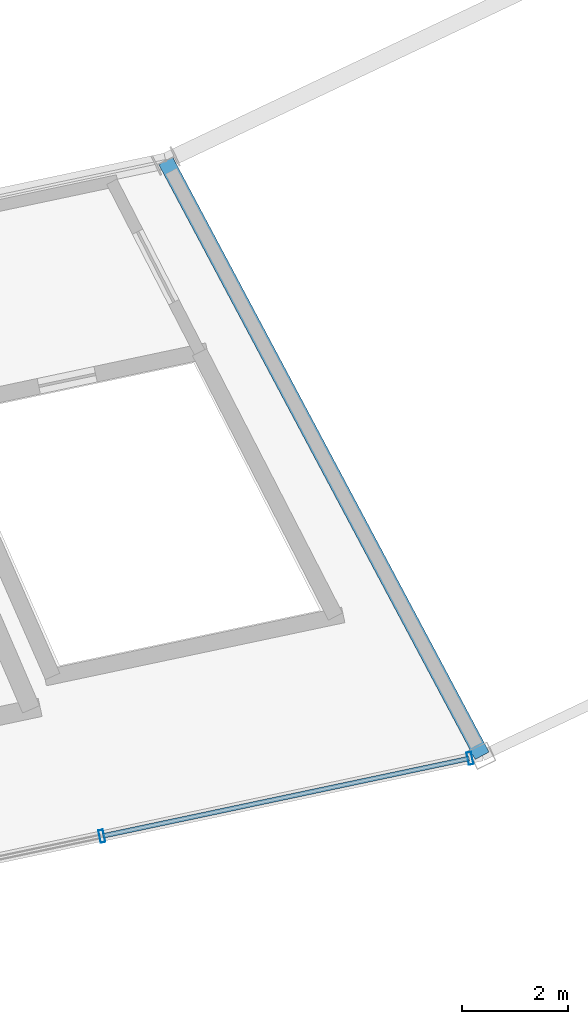
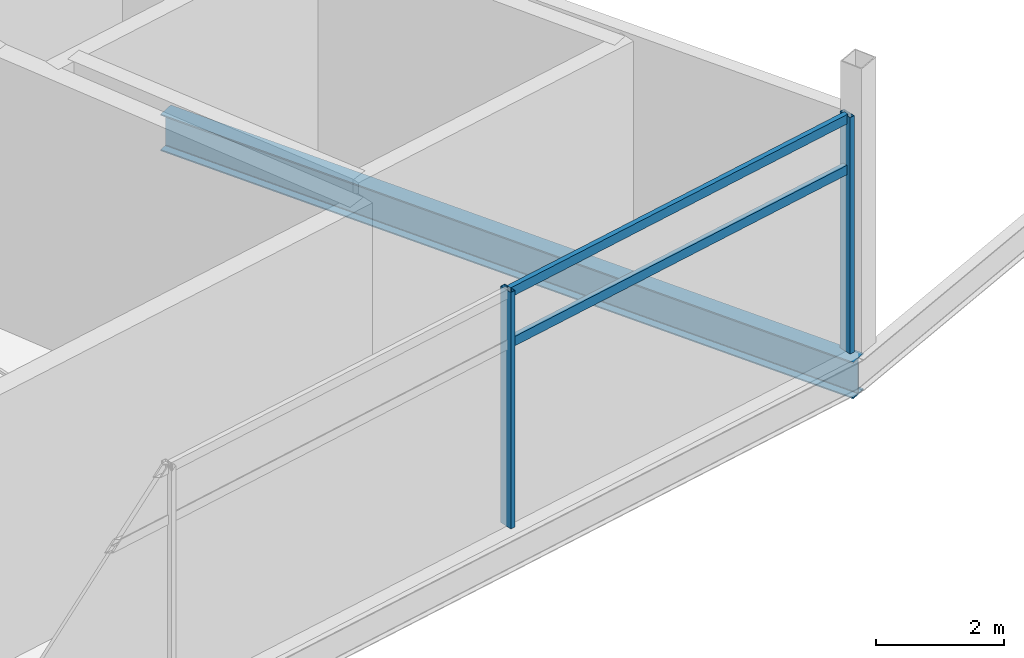
# One storey, part 46 of 86: 4 members, 1 beam, 1 element without a shape of its own.
"""IFC4 building model written with IfcOpenShell, lengths in metres."""

import ifcopenshell
import ifcopenshell.guid

model = None  # the IFC model being written
_history = None  # IfcOwnerHistory: only IFC2X3 demands one
_inside = {}  # id of a spatial element -> (the spatial element, [elements in it])
_under = {}  # id of a project, library or spatial element -> (it, [spatial elements below it])
_declared = {}  # id of a project -> (the project, [libraries it declares])
_typed = {}  # id of a type object -> (the type object, [elements of that type])
_made_of = {}  # id of a material, layer set ... -> (it, [elements and type objects made of it])


def new_model(schema):
    """Start an empty IFC model of exactly this schema.

    Asked for "IFC4X3", IfcOpenShell would pick the latest addendum, in which some entities
    have other attributes; the version numbers below select the first issue.
    IFC2X3 requires an IfcOwnerHistory on every rooted entity: one is made here for all.
    """
    global model, _history
    if schema == "IFC4X3":
        model = ifcopenshell.file(schema_version=(4, 3, 0, 0))
    else:
        model = ifcopenshell.file(schema=schema)
    _inside.clear()
    _under.clear()
    _declared.clear()
    _typed.clear()
    _made_of.clear()
    _history = None
    if model.schema == "IFC2X3":
        org = make("IfcOrganization", Name="unknown")
        user = make(
            "IfcPersonAndOrganization",
            ThePerson=make("IfcPerson", FamilyName="unknown"),
            TheOrganization=org,
        )
        app = make(
            "IfcApplication",
            ApplicationDeveloper=org,
            Version="unknown",
            ApplicationFullName="unknown",
            ApplicationIdentifier="unknown",
        )
        _history = make(
            "IfcOwnerHistory",
            OwningUser=user,
            OwningApplication=app,
            ChangeAction="ADDED",
            CreationDate=0,
        )
    return model


def make(cls, **values):
    """One entity of the class cls with the attributes given. An attribute that is None is left unset."""
    return model.create_entity(
        cls, **{name: value for name, value in values.items() if value is not None}
    )


def rooted(cls, **values):
    """An entity with a GlobalId (a new one), such as an element, a storey or a relation."""
    return make(cls, GlobalId=ifcopenshell.guid.new(), OwnerHistory=_history, **values)


def si_unit(unit_type, name, prefix=None):
    """IfcSIUnit, for example si_unit("LENGTHUNIT", "METRE", prefix="MILLI")."""
    return make("IfcSIUnit", UnitType=unit_type, Prefix=prefix, Name=name)


def assignment(units):
    """IfcUnitAssignment: the units of a project."""
    return None if units is None else make("IfcUnitAssignment", Units=units)


def point(xyz):
    """IfcCartesianPoint."""
    return None if xyz is None else make("IfcCartesianPoint", Coordinates=xyz)


def direction(xyz):
    """IfcDirection."""
    return None if xyz is None else make("IfcDirection", DirectionRatios=xyz)


def frame(location, z_axis=None, x_axis=None):
    """IfcAxis2Placement3D, a coordinate frame: its origin and axes. An axis left out is left unset."""
    return make(
        "IfcAxis2Placement3D",
        Location=point(location),
        Axis=direction(z_axis),
        RefDirection=direction(x_axis),
    )


def frame_2d(location, x_axis=None):
    """IfcAxis2Placement2D, a coordinate frame in the plane: its origin and x axis."""
    return make(
        "IfcAxis2Placement2D", Location=point(location), RefDirection=direction(x_axis)
    )


def origin():
    """The frame at (0, 0, 0) with its axes left unset."""
    return frame((0.0, 0.0, 0.0))


def origin_2d():
    """The frame at (0, 0) in the plane with its x axis left unset."""
    return frame_2d((0.0, 0.0))


def place(relative_to, where):
    """IfcLocalPlacement: puts the frame where relative to a parent placement (None: the world)."""
    return make(
        "IfcLocalPlacement", PlacementRelTo=relative_to, RelativePlacement=where
    )


def context(
    kind, dimensions, precision=None, world=None, true_north=None, identifier=None
):
    """IfcGeometricRepresentationContext, for example the 3D "Model" context."""
    return make(
        "IfcGeometricRepresentationContext",
        ContextIdentifier=identifier,
        ContextType=kind,
        CoordinateSpaceDimension=dimensions,
        Precision=precision,
        WorldCoordinateSystem=world,
        TrueNorth=true_north,
    )


def subcontext(parent, identifier, kind, view, scale=None):
    """IfcGeometricRepresentationSubContext, for example "Body" below "Model"."""
    return make(
        "IfcGeometricRepresentationSubContext",
        ContextIdentifier=identifier,
        ContextType=kind,
        ParentContext=parent,
        TargetScale=scale,
        TargetView=view,
    )


def project(units=None, contexts=None):
    """IfcProject with its units and contexts."""
    return rooted(
        "IfcProject",
        Name="project",
        RepresentationContexts=contexts,
        UnitsInContext=assignment(units),
    )


def spatial(cls, under=None, at=None, **own):
    """A site, building, storey or space (cls), placed at a placement, below another one or the project."""
    s = rooted(cls, ObjectPlacement=at, **own)
    if under is not None:
        _under.setdefault(under.id(), (under, []))[1].append(s)
    return s


def profile(cls, at=None, kind="AREA", **sizes):
    """A parametric profile (cls). Its sizes go by their IFC names, for example OverallWidth=200.0."""
    return make(cls, ProfileType=kind, Position=at, **sizes)


def hollow_rectangle(**sizes):
    """IfcRectangleHollowProfileDef."""
    return profile("IfcRectangleHollowProfileDef", **sizes)


def i_section(**sizes):
    """IfcIShapeProfileDef."""
    return profile("IfcIShapeProfileDef", **sizes)


def extrude(swept, where, along, depth):
    """IfcExtrudedAreaSolid: the profile swept, set in the frame where, extruded along a direction by depth."""
    return make(
        "IfcExtrudedAreaSolid",
        SweptArea=swept,
        Position=where,
        ExtrudedDirection=direction(along),
        Depth=depth,
    )


def shape(context_of_items, identifier, shape_type, items):
    """IfcShapeRepresentation: the items that make up one representation, for example the "Body"."""
    return make(
        "IfcShapeRepresentation",
        ContextOfItems=context_of_items,
        RepresentationIdentifier=identifier,
        RepresentationType=shape_type,
        Items=items,
    )


def material(Name=None, Category=None):
    """IfcMaterial."""
    return make("IfcMaterial", Name=Name, Category=Category)


def layer(
    of_material, thickness, ventilated=None, Name=None, Category=None, Priority=None
):
    """IfcMaterialLayer: one layer of a wall or slab, of a material (None: an air gap)."""
    return make(
        "IfcMaterialLayer",
        Material=of_material,
        LayerThickness=thickness,
        IsVentilated=ventilated,
        Name=Name,
        Category=Category,
        Priority=Priority,
    )


def layer_set(layers, Name=None):
    """IfcMaterialLayerSet."""
    return make("IfcMaterialLayerSet", MaterialLayers=layers, LayerSetName=Name)


def material_profile(
    of_material, cross_section, Name=None, Category=None, Priority=None
):
    """IfcMaterialProfile: a cross section and its material."""
    return make(
        "IfcMaterialProfile",
        Name=Name,
        Material=of_material,
        Profile=cross_section,
        Priority=Priority,
        Category=Category,
    )


def profile_set(profiles, Name=None, composite=None):
    """IfcMaterialProfileSet."""
    return make(
        "IfcMaterialProfileSet",
        Name=Name,
        MaterialProfiles=profiles,
        CompositeProfile=composite,
    )


def made_of(thing, what):
    """Note that an element or type object is made of a material, layer set ...; save() writes the relation."""
    if what is not None:
        _made_of.setdefault(what.id(), (what, []))[1].append(thing)
    return thing


def type_object(cls, material=None, **own):
    """A type object (cls), such as IfcWallType, which elements share."""
    return made_of(rooted(cls, **own), material)


def element(
    cls,
    number,
    at=None,
    inside=None,
    cuts=None,
    type_object=None,
    material=None,
    context=None,
    identifier="Body",
    shape_type=None,
    held_by="IfcProductDefinitionShape",
    body=None,
    shapes=None,
    **own,
):
    """One element of the class cls, such as IfcWall. Its Tag is "e" and its number.

    at: its placement. inside: the storey or other place that contains it. cuts: it is an
    opening in that element (IfcRelVoidsElement). A single representation is given by context,
    identifier, shape_type and body (its items); several are given by shapes. held_by: the class
    of the entity that holds the representations. save() writes the other relations.
    """
    e = rooted(cls, Tag="e%d" % number, ObjectPlacement=at, **own)
    if body is not None:
        shapes = [shape(context, identifier, shape_type, body)]
    if shapes is not None:
        e.Representation = make(held_by, Representations=shapes)
    if inside is not None:
        _inside.setdefault(inside.id(), (inside, []))[1].append(e)
    if cuts is not None:
        rooted(
            "IfcRelVoidsElement", RelatingBuildingElement=cuts, RelatedOpeningElement=e
        )
    if type_object is not None:
        _typed.setdefault(type_object.id(), (type_object, []))[1].append(e)
    return made_of(e, material)


def aggregate(whole, parts):
    """IfcRelAggregates: a whole, such as a stair, and the parts it consists of."""
    return rooted("IfcRelAggregates", RelatingObject=whole, RelatedObjects=parts)


def save(model, path):
    """Write the relations noted so far, then the file.

    IfcRelAggregates (storeys below a building ...), IfcRelContainedInSpatialStructure (elements
    in a storey), IfcRelDefinesByType, IfcRelAssociatesMaterial and IfcRelDeclares: one each for
    every whole, place, type object, material and project.
    """
    for whole, parts in _under.values():
        aggregate(whole, parts)
    for where, things in _inside.values():
        rooted(
            "IfcRelContainedInSpatialStructure",
            RelatedElements=things,
            RelatingStructure=where,
        )
    for kind, things in _typed.values():
        rooted("IfcRelDefinesByType", RelatedObjects=things, RelatingType=kind)
    for what, things in _made_of.values():
        rooted("IfcRelAssociatesMaterial", RelatedObjects=things, RelatingMaterial=what)
    for by, libraries in _declared.values():
        rooted("IfcRelDeclares", RelatingContext=by, RelatedDefinitions=libraries)
    model.write(path)


model = new_model("IFC4")

# Units and contexts
model_context = context("Model", 3, precision=1e-05, world=origin(), true_north=direction((0.0, 1.0)))
body_context = subcontext(model_context, "Body", "Model", "MODEL_VIEW")
ifc_project = project(units=[si_unit("LENGTHUNIT", "METRE"), si_unit("AREAUNIT", "SQUARE_METRE"), si_unit("VOLUMEUNIT", "CUBIC_METRE"), si_unit("PLANEANGLEUNIT", "RADIAN"), si_unit("MASSUNIT", "GRAM", prefix="KILO")], contexts=[model_context])

# Site, building, storey
site_placement = place(None, origin())
site = spatial("IfcSite", under=ifc_project, at=site_placement, CompositionType="ELEMENT")
building_placement = place(site_placement, origin())
building = spatial("IfcBuilding", under=site, at=building_placement, Name="Kazemori Nagisa Stadium", CompositionType="ELEMENT")
storey_placement = place(building_placement, frame((0.0, 0.0, 31.280029296875)))
storey = spatial("IfcBuildingStorey", under=building, at=storey_placement, Name="L06", CompositionType="ELEMENT", Elevation=31.280029296875)

# Beam
ifc_material_1 = material(Name="Steel SN490B", Category="steel")
ifc_material_profile_1 = material_profile(ifc_material_1, i_section(OverallWidth=0.300048828125, OverallDepth=0.699951171875, WebThickness=0.012939453125, FlangeThickness=0.02392578125, FilletRadius=0.01806640625, at=origin_2d()), Name="H-700x300x13x24")
ifc_profile_set_1 = profile_set([ifc_material_profile_1], Name="Steel SN490B")
beam_type = type_object("IfcBeamType", Name="Beam_BG-H700", PredefinedType="BEAM", material=ifc_profile_set_1)
beam_placement = place(storey_placement, frame((159.81201171875, 32.80078125, -0.610107421875), z_axis=(0.469648511848, -0.882853484628, 0.0), x_axis=(0.882853484628, 0.469648511848, 0.0)))
element("IfcBeam", 1, at=beam_placement, inside=storey, type_object=beam_type, Name="Radial girder BG-H700 L06 R2-R3-24", PredefinedType="BEAM", context=body_context, shape_type="SweptSolid", body=[
    extrude(i_section(OverallWidth=0.300048828125, OverallDepth=0.699951171875, WebThickness=0.012939453125, FlangeThickness=0.02392578125, FilletRadius=0.01806640625, at=origin_2d()), origin(), (0.0, 0.0, 1.0), 12.760009765625),
])

# Curtain wall, members
ifc_material_2 = material(Name="Anodised aluminium 6063-T5", Category="aluminium")
ifc_layer = layer(ifc_material_2, 0.239990234375, Name="Anodised aluminium 6063-T5", Category="aluminium")
ifc_layer_set = layer_set([ifc_layer], Name="Anodised aluminium 6063-T5")
curtain_wall_type = type_object("IfcCurtainWallType", Name="CW_L06R3_107", PredefinedType="USERDEFINED", material=ifc_layer_set)
curtain_wall_placement = place(storey_placement, origin())
curtain_wall = element("IfcCurtainWall", 2, at=curtain_wall_placement, inside=storey, type_object=curtain_wall_type, Name="Unitised curtain wall CW-L06R3-107 L06", ObjectType="UNITISED CURTAIN WALL", PredefinedType="USERDEFINED")
ifc_material_3 = material(Name="Aluminium 6063-T5 anodised", Category="aluminium")
ifc_material_profile_2 = material_profile(ifc_material_3, hollow_rectangle(XDim=0.090087890625, YDim=0.239990234375, WallThickness=0.0048828125, at=origin_2d()), Name="ALU-MULL-90x240x5")
ifc_profile_set_2 = profile_set([ifc_material_profile_2], Name="Aluminium 6063-T5 anodised")
member_type_1 = type_object("IfcMemberType", Name="Mullion_M03", PredefinedType="MULLION", material=ifc_profile_set_2)
member_1_placement = place(storey_placement, frame((158.602294921875, 20.011962890625, 0.0), z_axis=(0.0, 0.0, 1.0), x_axis=(0.978344955407, 0.206981033502, 0.0)))
member_1 = element("IfcMember", 3, at=member_1_placement, type_object=member_type_1, Name="Curtain wall mullion CW-L06R3-107-M3", PredefinedType="MULLION", context=body_context, shape_type="SweptSolid", body=[
    extrude(hollow_rectangle(XDim=0.090087890625, YDim=0.239990234375, WallThickness=0.0048828125, at=origin_2d()), origin(), (0.0, 0.0, 1.0), 4.510009765625),
])
member_2_placement = place(storey_placement, frame((165.57470703125, 21.487060546875, 0.0), z_axis=(0.0, 0.0, 1.0), x_axis=(0.978344955407, 0.206981033502, 0.0)))
member_2 = element("IfcMember", 4, at=member_2_placement, type_object=member_type_1, Name="Curtain wall mullion CW-L06R3-107-M4", PredefinedType="MULLION", context=body_context, shape_type="SweptSolid", body=[
    extrude(hollow_rectangle(XDim=0.090087890625, YDim=0.239990234375, WallThickness=0.0048828125, at=origin_2d()), origin(), (0.0, 0.0, 1.0), 4.510009765625),
])
ifc_material_profile_3 = material_profile(ifc_material_3, hollow_rectangle(XDim=0.090087890625, YDim=0.179931640625, WallThickness=0.0048828125, at=origin_2d()), Name="ALU-TRAN-90x180x5")
ifc_profile_set_3 = profile_set([ifc_material_profile_3], Name="Aluminium 6063-T5 anodised")
member_type_2 = type_object("IfcMemberType", Name="Transom_T03", PredefinedType="USERDEFINED", material=ifc_profile_set_3)
member_3_placement = place(storey_placement, frame((158.6220703125, 20.01611328125, 3.47265625), z_axis=(0.978344605267, 0.206982688515, 0.0), x_axis=(-0.206982688515, 0.978344605267, 0.0)))
member_3 = element("IfcMember", 5, at=member_3_placement, type_object=member_type_2, Name="Curtain wall transom CW-L06R3-107-T3-mid", ObjectType="TRANSOM", PredefinedType="USERDEFINED", context=body_context, shape_type="SweptSolid", body=[
    extrude(hollow_rectangle(XDim=0.090087890625, YDim=0.179931640625, WallThickness=0.0048828125, at=origin_2d()), origin(), (0.0, 0.0, 1.0), 7.086669921875),
])
member_4_placement = place(storey_placement, frame((158.6220703125, 20.01611328125, 4.43994140625), z_axis=(0.978344605267, 0.206982688515, 0.0), x_axis=(-0.206982688515, 0.978344605267, 0.0)))
member_4 = element("IfcMember", 6, at=member_4_placement, type_object=member_type_2, Name="Curtain wall transom CW-L06R3-107-T3-head", ObjectType="TRANSOM", PredefinedType="USERDEFINED", context=body_context, shape_type="SweptSolid", body=[
    extrude(hollow_rectangle(XDim=0.090087890625, YDim=0.179931640625, WallThickness=0.0048828125, at=origin_2d()), origin(), (0.0, 0.0, 1.0), 7.086669921875),
])
aggregate(curtain_wall, [member_1, member_2, member_3, member_4])

save(model, "model.ifc")
